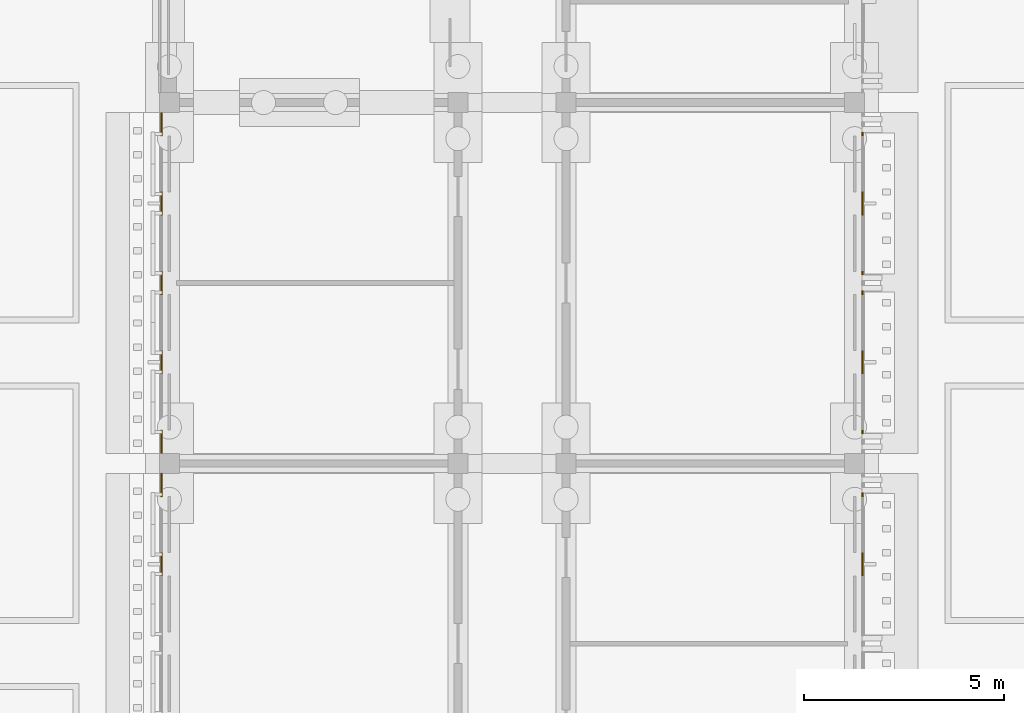
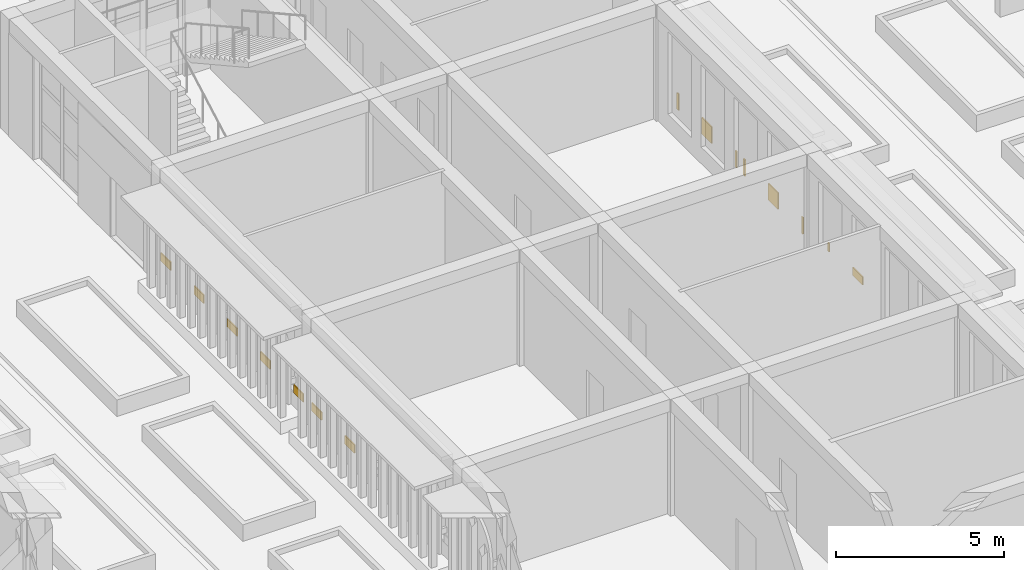
# One storey, part 157 of 161: 15 coverings.
"""IFC4 building model written with IfcOpenShell, lengths in metres."""

from ifc_helpers import new_model, si_unit, direction, frame, origin, origin_2d, place, context, subcontext, project, spatial, rectangle, extrude, material, layer, layer_set, type_object, element, save


model = new_model("IFC4")

# Units and contexts
model_context = context("Model", 3, precision=1e-05, world=origin(), true_north=direction((0.0, 1.0)))
body_context = subcontext(model_context, "Body", "Model", "MODEL_VIEW")
ifc_project = project(units=[si_unit("LENGTHUNIT", "METRE"), si_unit("AREAUNIT", "SQUARE_METRE"), si_unit("VOLUMEUNIT", "CUBIC_METRE"), si_unit("PLANEANGLEUNIT", "RADIAN"), si_unit("MASSUNIT", "GRAM", prefix="KILO")], contexts=[model_context])

# Site, building, storey
site_placement = place(None, origin())
site = spatial("IfcSite", under=ifc_project, at=site_placement, CompositionType="ELEMENT")
building_placement = place(site_placement, origin())
building = spatial("IfcBuilding", under=site, at=building_placement, Name="Elbe Cascade School", CompositionType="ELEMENT")
storey_placement = place(building_placement, origin())
storey = spatial("IfcBuildingStorey", under=building, at=storey_placement, Name="L00", CompositionType="ELEMENT", Elevation=0.0)

# Coverings
ifc_material = material(Name="Sandstone - red", Category="masonry")
ifc_layer = layer(ifc_material, 0.0400390625)
ifc_layer_set = layer_set([ifc_layer], Name="Sandstone - red")
covering_type = type_object("IfcCoveringType", Name="Bars envelope Sandstone cladding, red, 40 mm", PredefinedType="CLADDING", material=ifc_layer_set)
for number, where, z_axis, x_axis, name in (
    (1, (128.0, 39.47998046875, 0.89990234375), (0.0, 0.0, 1.0), (0.0, 1.0, 0.0), "Sandstone cladding CV48 C.L00.w.4.5"),
    (2, (128.0, 41.4599609375, 0.89990234375), (0.0, 0.0, 1.0), (0.0, 1.0, 0.0), "Sandstone cladding CV48 C.L00.w.4.6"),
    (3, (128.0, 42.5400390625, 0.89990234375), (0.0, 0.0, 1.0), (0.0, 1.0, 0.0), "Sandstone cladding CV48 C.L00.w.5.2"),
    (4, (128.0, 44.52001953125, 0.89990234375), (0.0, 0.0, 1.0), (0.0, 1.0, 0.0), "Sandstone cladding CV48 C.L00.w.5.3"),
    (5, (128.0, 46.5, 0.89990234375), (0.0, 0.0, 1.0), (0.0, 1.0, 0.0), "Sandstone cladding CV48 C.L00.w.5.4"),
    (6, (128.0, 48.47998046875, 0.89990234375), (0.0, 0.0, 1.0), (0.0, 1.0, 0.0), "Sandstone cladding CV48 C.L00.w.5.5"),
    (7, (128.0, 50.4599609375, 0.89990234375), (0.0, 0.0, 1.0), (0.0, 1.0, 0.0), "Sandstone cladding CV48 C.L00.w.5.6"),
    (8, (145.5, 39.47998046875, 0.89990234375), (0.0, 0.0, 1.0), (0.0, 1.0, 0.0), "Sandstone cladding CV48 C.L00.e.4.12"),
):
    element("IfcCovering", number, at=place(storey_placement, frame(where, z_axis=z_axis, x_axis=x_axis)), inside=storey, type_object=covering_type, Name=name, PredefinedType="CLADDING", context=body_context, shape_type="SweptSolid", body=[
        extrude(rectangle(XDim=0.580078125, YDim=0.0400390625, at=origin_2d()), origin(), (0.0, 0.0, 1.0), 0.300048828125),
    ])
covering_1_placement = place(storey_placement, frame((145.5, 41.215087890625, 0.89990234375), z_axis=(0.0, 0.0, 1.0), x_axis=(0.0, 1.0, 0.0)))
element("IfcCovering", 9, at=covering_1_placement, inside=storey, type_object=covering_type, Name="Sandstone cladding CV48 C.L00.e.4.13", PredefinedType="CLADDING", context=body_context, shape_type="SweptSolid", body=[
    extrude(rectangle(XDim=0.090087890625, YDim=0.0400390625, at=origin_2d()), origin(), (0.0, 0.0, 1.0), 0.300048828125),
])
covering_2_placement = place(storey_placement, frame((145.5, 42.784912109375, 0.599853515625), z_axis=(0.0, 0.0, 1.0), x_axis=(0.0, 1.0, 0.0)))
element("IfcCovering", 10, at=covering_2_placement, inside=storey, type_object=covering_type, Name="Sandstone cladding CV48 C.L00.e.5.8", PredefinedType="CLADDING", context=body_context, shape_type="SweptSolid", body=[
    extrude(rectangle(XDim=0.090087890625, YDim=0.0400390625, at=origin_2d()), origin(), (0.0, 0.0, 1.0), 0.60009765625),
])
covering_3_placement = place(storey_placement, frame((145.5, 44.52001953125, 0.599853515625), z_axis=(0.0, 0.0, 1.0), x_axis=(0.0, 1.0, 0.0)))
element("IfcCovering", 11, at=covering_3_placement, inside=storey, type_object=covering_type, Name="Sandstone cladding CV48 C.L00.e.5.9", PredefinedType="CLADDING", context=body_context, shape_type="SweptSolid", body=[
    extrude(rectangle(XDim=0.580078125, YDim=0.0400390625, at=origin_2d()), origin(), (0.0, 0.0, 1.0), 0.60009765625),
])
for number, where, z_axis, x_axis, name in (
    (12, (145.5, 46.2548828125, 0.599853515625), (0.0, 0.0, 1.0), (0.0, 1.0, 0.0), "Sandstone cladding CV48 C.L00.e.5.10"),
    (13, (145.5, 46.7451171875, 0.599853515625), (0.0, 0.0, 1.0), (0.0, 1.0, 0.0), "Sandstone cladding CV48 C.L00.e.5.11"),
):
    element("IfcCovering", number, at=place(storey_placement, frame(where, z_axis=z_axis, x_axis=x_axis)), inside=storey, type_object=covering_type, Name=name, PredefinedType="CLADDING", context=body_context, shape_type="SweptSolid", body=[
        extrude(rectangle(XDim=0.090087890625, YDim=0.0400390625, at=origin_2d()), origin(), (0.0, 0.0, 1.0), 0.60009765625),
    ])
covering_4_placement = place(storey_placement, frame((145.5, 48.47998046875, 0.599853515625), z_axis=(0.0, 0.0, 1.0), x_axis=(0.0, 1.0, 0.0)))
element("IfcCovering", 14, at=covering_4_placement, inside=storey, type_object=covering_type, Name="Sandstone cladding CV48 C.L00.e.5.12", PredefinedType="CLADDING", context=body_context, shape_type="SweptSolid", body=[
    extrude(rectangle(XDim=0.580078125, YDim=0.0400390625, at=origin_2d()), origin(), (0.0, 0.0, 1.0), 0.60009765625),
])
covering_5_placement = place(storey_placement, frame((145.5, 50.215087890625, 0.599853515625), z_axis=(0.0, 0.0, 1.0), x_axis=(0.0, 1.0, 0.0)))
element("IfcCovering", 15, at=covering_5_placement, inside=storey, type_object=covering_type, Name="Sandstone cladding CV48 C.L00.e.5.13", PredefinedType="CLADDING", context=body_context, shape_type="SweptSolid", body=[
    extrude(rectangle(XDim=0.090087890625, YDim=0.0400390625, at=origin_2d()), origin(), (0.0, 0.0, 1.0), 0.60009765625),
])

save(model, "model.ifc")
